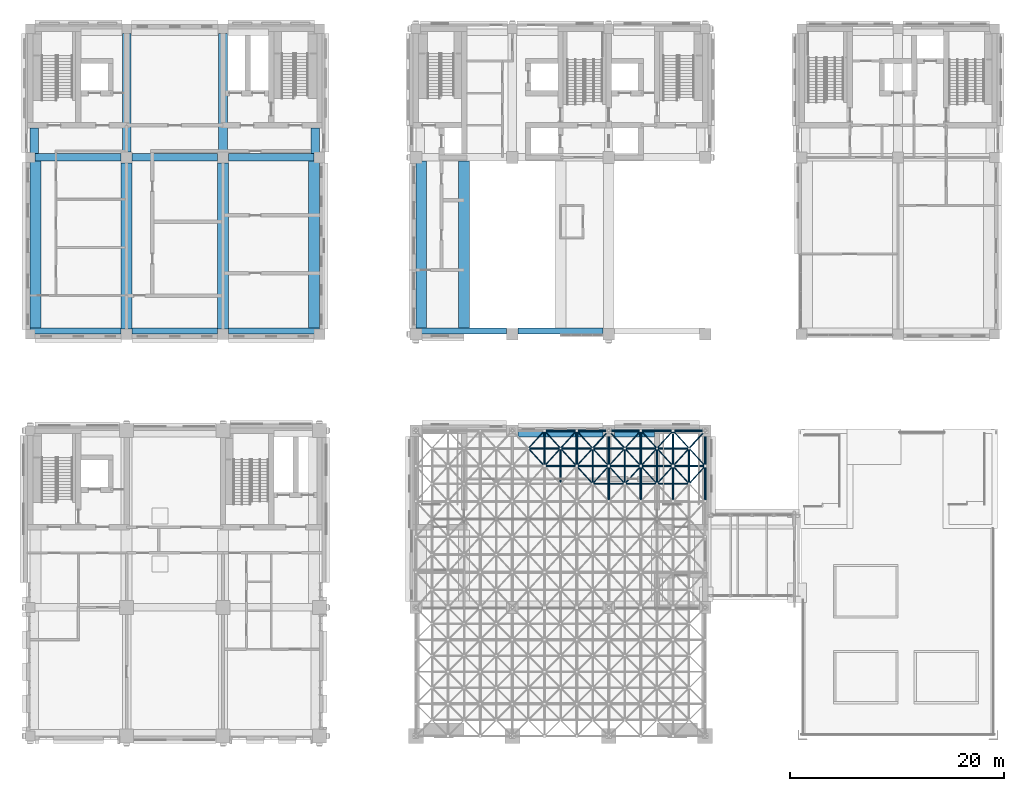
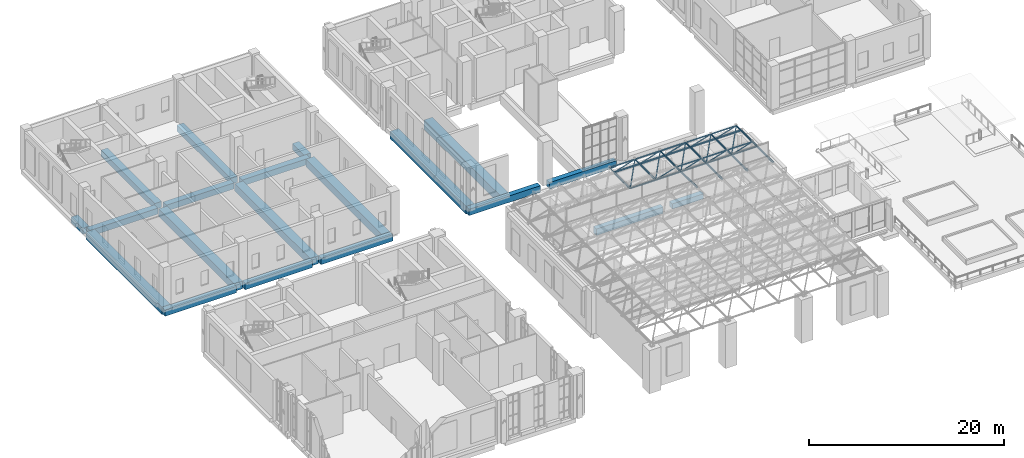
# One storey, part 9 of 53: 63 members, 20 beams.
"""IFC4 building model written with IfcOpenShell, lengths in metres."""

from ifc_helpers import new_model, si_unit, direction, frame, origin, origin_2d, place, context, subcontext, project, spatial, rectangle, hollow_circle, extrude, material, material_profile, profile_set, type_object, element, save


model = new_model("IFC4")

# Units and contexts
model_context = context("Model", 3, precision=1e-05, world=origin(), true_north=direction((0.0, 1.0)))
body_context = subcontext(model_context, "Body", "Model", "MODEL_VIEW")
ifc_project = project(units=[si_unit("LENGTHUNIT", "METRE"), si_unit("AREAUNIT", "SQUARE_METRE"), si_unit("VOLUMEUNIT", "CUBIC_METRE"), si_unit("PLANEANGLEUNIT", "RADIAN"), si_unit("MASSUNIT", "GRAM", prefix="KILO")], contexts=[model_context])

# Site, building, storey
site_placement = place(None, origin())
site = spatial("IfcSite", under=ifc_project, at=site_placement, CompositionType="ELEMENT")
building_placement = place(site_placement, origin())
building = spatial("IfcBuilding", under=site, at=building_placement, Name="Aurelan Courthouse", CompositionType="ELEMENT")
storey_placement = place(building_placement, frame((0.0, 0.0, 12.0)))
storey = spatial("IfcBuildingStorey", under=building, at=storey_placement, Name="L02", CompositionType="ELEMENT", Elevation=12.0)

# Beams
ifc_material_1 = material(Name="Concrete C50", Category="concrete")
ifc_material_profile_1 = material_profile(ifc_material_1, rectangle(XDim=0.699951171875, YDim=0.75, at=origin_2d()), Name="RC 700 x 750")
ifc_profile_set_1 = profile_set([ifc_material_profile_1], Name="Concrete C50")
beam_type_1 = type_object("IfcBeamType", Name="PT beam 700 x 750", PredefinedType="BEAM", material=ifc_profile_set_1)
beam_1_placement = place(storey_placement, frame((0.449951171875, 54.0, -0.675048828125), z_axis=(1.0, 0.0, 0.0), x_axis=(0.0, 1.0, 0.0)))
element("IfcBeam", 1, at=beam_1_placement, inside=storey, type_object=beam_type_1, Name="Beam EB-E-1-2", PredefinedType="BEAM", context=body_context, shape_type="SweptSolid", body=[
    extrude(rectangle(XDim=0.699951171875, YDim=0.75, at=origin_2d()), origin(), (0.0, 0.0, 1.0), 8.050048828125),
])
for number, where, z_axis, x_axis, name in (
    (2, (9.5, 54.0, -0.675048828125), (1.0, 0.0, 0.0), (0.0, 1.0, 0.0), "Beam EB-E-2-3"),
    (3, (18.5, 54.0, -0.675048828125), (1.0, 0.0, 0.0), (0.0, 1.0, 0.0), "Beam EB-E-3-4"),
):
    element("IfcBeam", number, at=place(storey_placement, frame(where, z_axis=z_axis, x_axis=x_axis)), inside=storey, type_object=beam_type_1, Name=name, PredefinedType="BEAM", context=body_context, shape_type="SweptSolid", body=[
        extrude(rectangle(XDim=0.699951171875, YDim=0.75, at=origin_2d()), origin(), (0.0, 0.0, 1.0), 8.0),
    ])
ifc_material_profile_2 = material_profile(ifc_material_1, rectangle(XDim=1.0, YDim=0.949951171875, at=origin_2d()), Name="RC 1000 x 950")
ifc_profile_set_2 = profile_set([ifc_material_profile_2], Name="Concrete C50")
beam_type_2 = type_object("IfcBeamType", Name="PT girder 1000 x 950", PredefinedType="BEAM", material=ifc_profile_set_2)
for number, where, z_axis, x_axis, name in (
    (4, (36.5, 38.10009765625, -0.77490234375), (0.0, 1.0, 0.0), (-1.0, 0.0, 0.0), "Girder GB-5DE-E"),
    (5, (0.5, 38.10009765625, -0.77490234375), (0.0, 1.0, 0.0), (-1.0, 0.0, 0.0), "Girder GB-1DE-E"),
):
    element("IfcBeam", number, at=place(storey_placement, frame(where, z_axis=z_axis, x_axis=x_axis)), inside=storey, type_object=beam_type_2, Name=name, PredefinedType="BEAM", context=body_context, shape_type="SweptSolid", body=[
        extrude(rectangle(XDim=1.0, YDim=0.949951171875, at=origin_2d()), origin(), (0.0, 0.0, 1.0), 15.5498046875),
    ])
for number, where, z_axis, x_axis, name in (
    (6, (9.0, 38.0, -0.77490234375), (0.0, 1.0, 0.0), (-1.0, 0.0, 0.0), "Girder GB-2DE"),
    (7, (18.0, 38.0, -0.77490234375), (0.0, 1.0, 0.0), (-1.0, 0.0, 0.0), "Girder GB-3DE"),
):
    element("IfcBeam", number, at=place(storey_placement, frame(where, z_axis=z_axis, x_axis=x_axis)), inside=storey, type_object=beam_type_2, Name=name, PredefinedType="BEAM", context=body_context, shape_type="SweptSolid", body=[
        extrude(rectangle(XDim=1.0, YDim=0.949951171875, at=origin_2d()), origin(), (0.0, 0.0, 1.0), 15.5),
    ])
beam_2_placement = place(storey_placement, frame((26.5, 38.10009765625, -0.77490234375), z_axis=(0.0, 1.0, 0.0), x_axis=(-1.0, 0.0, 0.0)))
element("IfcBeam", 8, at=beam_2_placement, inside=storey, type_object=beam_type_2, Name="Girder GB-4DE-E", PredefinedType="BEAM", context=body_context, shape_type="SweptSolid", body=[
    extrude(rectangle(XDim=1.0, YDim=0.949951171875, at=origin_2d()), origin(), (0.0, 0.0, 1.0), 15.5498046875),
])
ifc_material_profile_3 = material_profile(ifc_material_1, rectangle(XDim=0.800048828125, YDim=0.75, at=origin_2d()), Name="RC 800 x 750")
ifc_profile_set_3 = profile_set([ifc_material_profile_3], Name="Concrete C50")
beam_type_3 = type_object("IfcBeamType", Name="PT girder 800 x 750", PredefinedType="BEAM", material=ifc_profile_set_3)
beam_3_placement = place(storey_placement, frame((0.39990234375, 54.35009765625, -0.675048828125), z_axis=(0.0, 1.0, 0.0), x_axis=(-1.0, 0.0, 0.0)))
element("IfcBeam", 9, at=beam_3_placement, inside=storey, type_object=beam_type_3, Name="Girder GB-1EF-E", PredefinedType="BEAM", context=body_context, shape_type="SweptSolid", body=[
    extrude(rectangle(XDim=0.800048828125, YDim=0.75, at=origin_2d()), origin(), (0.0, 0.0, 1.0), 2.39990234375),
])
for number, where, z_axis, x_axis, name in (
    (10, (9.0, 54.5, -0.675048828125), (0.0, 1.0, 0.0), (-1.0, 0.0, 0.0), "Girder GB-2EF"),
    (11, (18.0, 54.5, -0.675048828125), (0.0, 1.0, 0.0), (-1.0, 0.0, 0.0), "Girder GB-3EF"),
):
    element("IfcBeam", number, at=place(storey_placement, frame(where, z_axis=z_axis, x_axis=x_axis)), inside=storey, type_object=beam_type_3, Name=name, PredefinedType="BEAM", context=body_context, shape_type="SweptSolid", body=[
        extrude(rectangle(XDim=0.800048828125, YDim=0.75, at=origin_2d()), origin(), (0.0, 0.0, 1.0), 11.050048828125),
    ])
beam_4_placement = place(storey_placement, frame((26.60009765625, 54.35009765625, -0.675048828125), z_axis=(0.0, 1.0, 0.0), x_axis=(-1.0, 0.0, 0.0)))
element("IfcBeam", 12, at=beam_4_placement, inside=storey, type_object=beam_type_3, Name="Girder GB-4EF-E", PredefinedType="BEAM", context=body_context, shape_type="SweptSolid", body=[
    extrude(rectangle(XDim=0.800048828125, YDim=0.75, at=origin_2d()), origin(), (0.0, 0.0, 1.0), 2.39990234375),
])
ifc_material_profile_4 = material_profile(ifc_material_1, rectangle(XDim=0.60009765625, YDim=0.64990234375, at=origin_2d()), Name="RC 600 x 650")
ifc_profile_set_4 = profile_set([ifc_material_profile_4], Name="Concrete C50")
beam_type_4 = type_object("IfcBeamType", Name="RC spandrel beam 600 x 650", PredefinedType="SPANDREL", material=ifc_profile_set_4)
beam_5_placement = place(storey_placement, frame((54.550048828125, 28.199951171875, -0.625), z_axis=(1.0, 0.0, 0.0), x_axis=(0.0, 1.0, 0.0)))
element("IfcBeam", 13, at=beam_5_placement, inside=storey, type_object=beam_type_4, Name="Spandrel beam SB-C-7-8", PredefinedType="SPANDREL", context=body_context, shape_type="SweptSolid", body=[
    extrude(rectangle(XDim=0.60009765625, YDim=0.64990234375, at=origin_2d()), origin(), (0.0, 0.0, 1.0), 3.699951171875),
])
ifc_material_profile_5 = material_profile(ifc_material_1, rectangle(XDim=0.60009765625, YDim=0.800048828125, at=origin_2d()), Name="RC 600 x 800")
ifc_profile_set_5 = profile_set([ifc_material_profile_5], Name="Concrete C50")
beam_type_5 = type_object("IfcBeamType", Name="RC spandrel beam 600 x 800", PredefinedType="SPANDREL", material=ifc_profile_set_5)
beam_6_placement = place(storey_placement, frame((45.550048828125, 28.199951171875, -0.699951171875), z_axis=(1.0, 0.0, 0.0), x_axis=(0.0, 1.0, 0.0)))
element("IfcBeam", 14, at=beam_6_placement, inside=storey, type_object=beam_type_5, Name="Spandrel beam SB-C-6-7", PredefinedType="SPANDREL", context=body_context, shape_type="SweptSolid", body=[
    extrude(rectangle(XDim=0.60009765625, YDim=0.800048828125, at=origin_2d()), origin(), (0.0, 0.0, 1.0), 7.89990234375),
])
beam_7_placement = place(storey_placement, frame((36.0, 37.800048828125, -0.699951171875), z_axis=(1.0, 0.0, 0.0), x_axis=(0.0, 1.0, 0.0)))
element("IfcBeam", 15, at=beam_7_placement, inside=storey, type_object=beam_type_5, Name="Spandrel beam SB-D-5-6", PredefinedType="SPANDREL", context=body_context, shape_type="SweptSolid", body=[
    extrude(rectangle(XDim=0.60009765625, YDim=0.800048828125, at=origin_2d()), origin(), (0.0, 0.0, 1.0), 8.449951171875),
])
beam_8_placement = place(storey_placement, frame((45.550048828125, 37.800048828125, -0.699951171875), z_axis=(1.0, 0.0, 0.0), x_axis=(0.0, 1.0, 0.0)))
element("IfcBeam", 16, at=beam_8_placement, inside=storey, type_object=beam_type_5, Name="Spandrel beam SB-D-6-7", PredefinedType="SPANDREL", context=body_context, shape_type="SweptSolid", body=[
    extrude(rectangle(XDim=0.60009765625, YDim=0.800048828125, at=origin_2d()), origin(), (0.0, 0.0, 1.0), 7.89990234375),
])
beam_9_placement = place(storey_placement, frame((0.0, 37.800048828125, -0.699951171875), z_axis=(1.0, 0.0, 0.0), x_axis=(0.0, 1.0, 0.0)))
element("IfcBeam", 17, at=beam_9_placement, inside=storey, type_object=beam_type_5, Name="Spandrel beam SB-D-1-2", PredefinedType="SPANDREL", context=body_context, shape_type="SweptSolid", body=[
    extrude(rectangle(XDim=0.60009765625, YDim=0.800048828125, at=origin_2d()), origin(), (0.0, 0.0, 1.0), 8.5),
])
beam_10_placement = place(storey_placement, frame((9.5, 37.800048828125, -0.699951171875), z_axis=(1.0, 0.0, 0.0), x_axis=(0.0, 1.0, 0.0)))
element("IfcBeam", 18, at=beam_10_placement, inside=storey, type_object=beam_type_5, Name="Spandrel beam SB-D-2-3", PredefinedType="SPANDREL", context=body_context, shape_type="SweptSolid", body=[
    extrude(rectangle(XDim=0.60009765625, YDim=0.800048828125, at=origin_2d()), origin(), (0.0, 0.0, 1.0), 8.0),
])
beam_11_placement = place(storey_placement, frame((18.5, 37.800048828125, -0.699951171875), z_axis=(1.0, 0.0, 0.0), x_axis=(0.0, 1.0, 0.0)))
element("IfcBeam", 19, at=beam_11_placement, inside=storey, type_object=beam_type_5, Name="Spandrel beam SB-D-3-4", PredefinedType="SPANDREL", context=body_context, shape_type="SweptSolid", body=[
    extrude(rectangle(XDim=0.60009765625, YDim=0.800048828125, at=origin_2d()), origin(), (0.0, 0.0, 1.0), 8.5),
])
ifc_material_2 = material(Name="Concrete C40", Category="concrete")
ifc_material_profile_6 = material_profile(ifc_material_2, rectangle(XDim=1.0, YDim=1.14990234375, at=origin_2d()), Name="RC 1000 x 1150")
ifc_profile_set_6 = profile_set([ifc_material_profile_6], Name="Concrete C40")
beam_type_6 = type_object("IfcBeamType", Name="RC trimmer beam 1000 x 1150", PredefinedType="JOIST", material=ifc_profile_set_6)
beam_12_placement = place(storey_placement, frame((40.5, 38.10009765625, -0.875), z_axis=(0.0, 1.0, 0.0), x_axis=(-1.0, 0.0, 0.0)))
element("IfcBeam", 20, at=beam_12_placement, inside=storey, type_object=beam_type_6, Name="Trimmer beam TB-L02-004", PredefinedType="JOIST", context=body_context, shape_type="SweptSolid", body=[
    extrude(rectangle(XDim=1.0, YDim=1.14990234375, at=origin_2d()), origin(), (0.0, 0.0, 1.0), 15.5498046875),
])

# Members
ifc_material_3 = material(Name="Steel S355", Category="steel")
ifc_material_profile_7 = material_profile(ifc_material_3, hollow_circle(Radius=0.07958984375, WallThickness=0.006103515625, at=origin_2d()), Name="CHS 159 x 6")
ifc_profile_set_7 = profile_set([ifc_material_profile_7], Name="Steel S355")
member_type_1 = type_object("IfcMemberType", Name="Space frame chord CHS 159 x 6", PredefinedType="CHORD", material=ifc_profile_set_7)
for number, where, z_axis, x_axis, name in (
    (21, (52.5, 23.550048828125, 7.699951171875), (1.0, 0.0, 0.0), (0.0, 1.0, 0.0), "Space frame top chord SF-T2"),
    (22, (55.5, 23.550048828125, 7.699951171875), (1.0, 0.0, 0.0), (0.0, 1.0, 0.0), "Space frame top chord SF-T2"),
    (23, (58.5, 23.550048828125, 7.699951171875), (1.0, 0.0, 0.0), (0.0, 1.0, 0.0), "Space frame top chord SF-T2"),
):
    element("IfcMember", number, at=place(storey_placement, frame(where, z_axis=z_axis, x_axis=x_axis)), inside=storey, type_object=member_type_1, Name=name, PredefinedType="CHORD", context=body_context, shape_type="SweptSolid", body=[
        extrude(hollow_circle(Radius=0.07958984375, WallThickness=0.006103515625, at=origin_2d()), origin(), (0.0, 0.0, 1.0), 3.0),
    ])
for number, where, z_axis, x_axis, name in (
    (24, (49.5, 23.550048828125, 7.699951171875), (0.0, 1.0, 0.0), (-1.0, 0.0, 0.0), "Space frame top chord SF-T2"),
    (25, (52.5, 23.550048828125, 7.699951171875), (0.0, 1.0, 0.0), (-1.0, 0.0, 0.0), "Space frame top chord SF-T2"),
    (26, (55.5, 23.550048828125, 7.699951171875), (0.0, 1.0, 0.0), (-1.0, 0.0, 0.0), "Space frame top chord SF-T2"),
    (27, (58.5, 23.550048828125, 7.699951171875), (0.0, 1.0, 0.0), (-1.0, 0.0, 0.0), "Space frame top chord SF-T2"),
):
    element("IfcMember", number, at=place(storey_placement, frame(where, z_axis=z_axis, x_axis=x_axis)), inside=storey, type_object=member_type_1, Name=name, PredefinedType="CHORD", context=body_context, shape_type="SweptSolid", body=[
        extrude(hollow_circle(Radius=0.07958984375, WallThickness=0.006103515625, at=origin_2d()), origin(), (0.0, 0.0, 1.0), 3.300048828125),
    ])
ifc_material_profile_8 = material_profile(ifc_material_3, hollow_circle(Radius=0.084228515625, WallThickness=0.008056640625, at=origin_2d()), Name="CHS 168.3 x 8")
ifc_profile_set_8 = profile_set([ifc_material_profile_8], Name="Steel S355")
member_type_2 = type_object("IfcMemberType", Name="Space frame chord CHS 168.3 x 8", PredefinedType="CHORD", material=ifc_profile_set_8)
for number, where, z_axis, x_axis, name in (
    (28, (46.5, 26.85009765625, 7.699951171875), (1.0, 0.0, 0.0), (0.0, 1.0, 0.0), "Space frame top chord SF-T3"),
    (29, (49.5, 26.85009765625, 7.699951171875), (1.0, 0.0, 0.0), (0.0, 1.0, 0.0), "Space frame top chord SF-T3"),
    (30, (52.5, 26.85009765625, 7.699951171875), (1.0, 0.0, 0.0), (0.0, 1.0, 0.0), "Space frame top chord SF-T3"),
    (31, (55.5, 26.85009765625, 7.699951171875), (1.0, 0.0, 0.0), (0.0, 1.0, 0.0), "Space frame top chord SF-T3"),
    (32, (58.5, 26.85009765625, 7.699951171875), (1.0, 0.0, 0.0), (0.0, 1.0, 0.0), "Space frame top chord SF-T3"),
):
    element("IfcMember", number, at=place(storey_placement, frame(where, z_axis=z_axis, x_axis=x_axis)), inside=storey, type_object=member_type_2, Name=name, PredefinedType="CHORD", context=body_context, shape_type="SweptSolid", body=[
        extrude(hollow_circle(Radius=0.084228515625, WallThickness=0.008056640625, at=origin_2d()), origin(), (0.0, 0.0, 1.0), 3.0),
    ])
member_placement = place(storey_placement, frame((61.5, 23.550048828125, 7.699951171875), z_axis=(0.0, 1.0, 0.0), x_axis=(-1.0, 0.0, 0.0)))
element("IfcMember", 33, at=member_placement, inside=storey, type_object=member_type_2, Name="Space frame top chord SF-T3", PredefinedType="CHORD", context=body_context, shape_type="SweptSolid", body=[
    extrude(hollow_circle(Radius=0.084228515625, WallThickness=0.008056640625, at=origin_2d()), origin(), (0.0, 0.0, 1.0), 3.300048828125),
])
ifc_material_profile_9 = material_profile(ifc_material_3, hollow_circle(Radius=0.109619140625, WallThickness=0.010009765625, at=origin_2d()), Name="CHS 219.1 x 10")
ifc_profile_set_9 = profile_set([ifc_material_profile_9], Name="Steel S355")
member_type_3 = type_object("IfcMemberType", Name="Space frame chord CHS 219.1 x 10", PredefinedType="CHORD", material=ifc_profile_set_9)
for number, where, z_axis, x_axis, name in (
    (34, (48.0, 25.199951171875, 5.60009765625), (1.0, 0.0, 0.0), (0.0, 1.0, 0.0), "Space frame bottom chord SF-B1"),
    (35, (51.0, 25.199951171875, 5.60009765625), (1.0, 0.0, 0.0), (0.0, 1.0, 0.0), "Space frame bottom chord SF-B1"),
    (36, (54.0, 25.199951171875, 5.60009765625), (1.0, 0.0, 0.0), (0.0, 1.0, 0.0), "Space frame bottom chord SF-B1"),
    (37, (57.0, 25.199951171875, 5.60009765625), (1.0, 0.0, 0.0), (0.0, 1.0, 0.0), "Space frame bottom chord SF-B1"),
    (38, (60.0, 25.199951171875, 5.60009765625), (1.0, 0.0, 0.0), (0.0, 1.0, 0.0), "Space frame bottom chord SF-B1"),
    (39, (48.0, 28.5, 5.60009765625), (1.0, 0.0, 0.0), (0.0, 1.0, 0.0), "Space frame bottom chord SF-B1"),
    (40, (51.0, 28.5, 5.60009765625), (1.0, 0.0, 0.0), (0.0, 1.0, 0.0), "Space frame bottom chord SF-B1"),
    (41, (54.0, 28.5, 5.60009765625), (1.0, 0.0, 0.0), (0.0, 1.0, 0.0), "Space frame bottom chord SF-B1"),
    (42, (57.0, 28.5, 5.60009765625), (1.0, 0.0, 0.0), (0.0, 1.0, 0.0), "Space frame bottom chord SF-B1"),
    (43, (60.0, 28.5, 5.60009765625), (1.0, 0.0, 0.0), (0.0, 1.0, 0.0), "Space frame bottom chord SF-B1"),
):
    element("IfcMember", number, at=place(storey_placement, frame(where, z_axis=z_axis, x_axis=x_axis)), inside=storey, type_object=member_type_3, Name=name, PredefinedType="CHORD", context=body_context, shape_type="SweptSolid", body=[
        extrude(hollow_circle(Radius=0.109619140625, WallThickness=0.010009765625, at=origin_2d()), origin(), (0.0, 0.0, 1.0), 3.0),
    ])
for number, where, z_axis, x_axis, name in (
    (44, (48.0, 25.199951171875, 5.60009765625), (0.0, 1.0, 0.0), (-1.0, 0.0, 0.0), "Space frame bottom chord SF-B1"),
    (45, (51.0, 25.199951171875, 5.60009765625), (0.0, 1.0, 0.0), (-1.0, 0.0, 0.0), "Space frame bottom chord SF-B1"),
    (46, (54.0, 21.89990234375, 5.60009765625), (0.0, 1.0, 0.0), (-1.0, 0.0, 0.0), "Space frame bottom chord SF-B1"),
    (47, (54.0, 25.199951171875, 5.60009765625), (0.0, 1.0, 0.0), (-1.0, 0.0, 0.0), "Space frame bottom chord SF-B1"),
    (48, (57.0, 21.89990234375, 5.60009765625), (0.0, 1.0, 0.0), (-1.0, 0.0, 0.0), "Space frame bottom chord SF-B1"),
    (49, (57.0, 25.199951171875, 5.60009765625), (0.0, 1.0, 0.0), (-1.0, 0.0, 0.0), "Space frame bottom chord SF-B1"),
    (50, (60.0, 21.89990234375, 5.60009765625), (0.0, 1.0, 0.0), (-1.0, 0.0, 0.0), "Space frame bottom chord SF-B1"),
    (51, (60.0, 25.199951171875, 5.60009765625), (0.0, 1.0, 0.0), (-1.0, 0.0, 0.0), "Space frame bottom chord SF-B1"),
    (52, (63.0, 21.89990234375, 5.60009765625), (0.0, 1.0, 0.0), (-1.0, 0.0, 0.0), "Space frame bottom chord SF-B1"),
    (53, (63.0, 25.199951171875, 5.60009765625), (0.0, 1.0, 0.0), (-1.0, 0.0, 0.0), "Space frame bottom chord SF-B1"),
):
    element("IfcMember", number, at=place(storey_placement, frame(where, z_axis=z_axis, x_axis=x_axis)), inside=storey, type_object=member_type_3, Name=name, PredefinedType="CHORD", context=body_context, shape_type="SweptSolid", body=[
        extrude(hollow_circle(Radius=0.109619140625, WallThickness=0.010009765625, at=origin_2d()), origin(), (0.0, 0.0, 1.0), 3.300048828125),
    ])
ifc_material_profile_10 = material_profile(ifc_material_3, hollow_circle(Radius=0.05712890625, WallThickness=0.00390625, at=origin_2d()), Name="CHS 114.3 x 4")
ifc_profile_set_10 = profile_set([ifc_material_profile_10], Name="Steel S355")
member_type_4 = type_object("IfcMemberType", Name="Space frame diagonal CHS 114.3 x 4", PredefinedType="BRACE", material=ifc_profile_set_10)
for number, where, z_axis, x_axis, name in (
    (54, (46.5, 26.85009765625, 7.699951171875), (0.489705546256, -0.538723923689, -0.685539941951), (0.739969795529, 0.672640098199, 0.0), "Space frame diagonal SF-D2"),
    (55, (46.5, 26.85009765625, 7.699951171875), (0.489726573432, 0.538667347535, -0.685569377944), (-0.739920256233, 0.672694592231, 0.0), "Space frame diagonal SF-D2"),
    (56, (49.5, 26.85009765625, 7.699951171875), (-0.489705546256, -0.538723923689, -0.685539941951), (0.739969795529, -0.672640098199, 0.0), "Space frame diagonal SF-D2"),
    (57, (49.5, 26.85009765625, 7.699951171875), (-0.489726573432, 0.538667347535, -0.685569377944), (-0.739920256233, -0.672694592231, 0.0), "Space frame diagonal SF-D2"),
    (58, (49.5, 26.85009765625, 7.699951171875), (0.489705546256, -0.538723923689, -0.685539941951), (0.739969795529, 0.672640098199, 0.0), "Space frame diagonal SF-D2"),
    (59, (49.5, 26.85009765625, 7.699951171875), (0.489726573432, 0.538667347535, -0.685569377944), (-0.739920256233, 0.672694592231, 0.0), "Space frame diagonal SF-D2"),
    (60, (52.5, 23.550048828125, 7.699951171875), (-0.489726573432, 0.538667347535, -0.685569377944), (-0.739920256233, -0.672694592231, 0.0), "Space frame diagonal SF-D2"),
    (61, (52.5, 23.550048828125, 7.699951171875), (0.489726573432, 0.538667347535, -0.685569377944), (-0.739920256233, 0.672694592231, 0.0), "Space frame diagonal SF-D2"),
    (62, (52.5, 26.85009765625, 7.699951171875), (-0.489705546256, -0.538723923689, -0.685539941951), (0.739969795529, -0.672640098199, 0.0), "Space frame diagonal SF-D2"),
    (63, (52.5, 26.85009765625, 7.699951171875), (-0.489726573432, 0.538667347535, -0.685569377944), (-0.739920256233, -0.672694592231, 0.0), "Space frame diagonal SF-D2"),
    (64, (52.5, 26.85009765625, 7.699951171875), (0.489705546256, -0.538723923689, -0.685539941951), (0.739969795529, 0.672640098199, 0.0), "Space frame diagonal SF-D2"),
    (65, (55.5, 23.550048828125, 7.699951171875), (-0.489726573432, 0.538667347535, -0.685569377944), (-0.739920256233, -0.672694592231, 0.0), "Space frame diagonal SF-D2"),
    (66, (55.5, 23.550048828125, 7.699951171875), (0.489726573432, 0.538667347535, -0.685569377944), (-0.739920256233, 0.672694592231, 0.0), "Space frame diagonal SF-D2"),
    (67, (55.5, 26.85009765625, 7.699951171875), (-0.489705546256, -0.538723923689, -0.685539941951), (0.739969795529, -0.672640098199, 0.0), "Space frame diagonal SF-D2"),
    (68, (55.5, 26.85009765625, 7.699951171875), (0.489705546256, -0.538723923689, -0.685539941951), (0.739969795529, 0.672640098199, 0.0), "Space frame diagonal SF-D2"),
    (69, (55.5, 26.85009765625, 7.699951171875), (0.489726573432, 0.538667347535, -0.685569377944), (-0.739920256233, 0.672694592231, 0.0), "Space frame diagonal SF-D2"),
    (70, (58.5, 23.550048828125, 7.699951171875), (-0.489726573432, 0.538667347535, -0.685569377944), (-0.739920256233, -0.672694592231, 0.0), "Space frame diagonal SF-D2"),
    (71, (58.5, 23.550048828125, 7.699951171875), (0.489726573432, 0.538667347535, -0.685569377944), (-0.739920256233, 0.672694592231, 0.0), "Space frame diagonal SF-D2"),
    (72, (58.5, 26.85009765625, 7.699951171875), (-0.489705546256, -0.538723923689, -0.685539941951), (0.739969795529, -0.672640098199, 0.0), "Space frame diagonal SF-D2"),
    (73, (58.5, 26.85009765625, 7.699951171875), (-0.489726573432, 0.538667347535, -0.685569377944), (-0.739920256233, -0.672694592231, 0.0), "Space frame diagonal SF-D2"),
    (74, (58.5, 26.85009765625, 7.699951171875), (0.489705546256, -0.538723923689, -0.685539941951), (0.739969795529, 0.672640098199, 0.0), "Space frame diagonal SF-D2"),
    (75, (58.5, 26.85009765625, 7.699951171875), (0.489726573432, 0.538667347535, -0.685569377944), (-0.739920256233, 0.672694592231, 0.0), "Space frame diagonal SF-D2"),
    (76, (61.5, 23.550048828125, 7.699951171875), (-0.489726573432, 0.538667347535, -0.685569377944), (-0.739920256233, -0.672694592231, 0.0), "Space frame diagonal SF-D2"),
    (77, (61.5, 23.550048828125, 7.699951171875), (0.489726573432, 0.538667347535, -0.685569377944), (-0.739920256233, 0.672694592231, 0.0), "Space frame diagonal SF-D2"),
    (78, (61.5, 26.85009765625, 7.699951171875), (-0.489705546256, -0.538723923689, -0.685539941951), (0.739969795529, -0.672640098199, 0.0), "Space frame diagonal SF-D2"),
    (79, (61.5, 26.85009765625, 7.699951171875), (-0.489726573432, 0.538667347535, -0.685569377944), (-0.739920256233, -0.672694592231, 0.0), "Space frame diagonal SF-D2"),
    (80, (61.5, 26.85009765625, 7.699951171875), (0.489705546256, -0.538723923689, -0.685539941951), (0.739969795529, 0.672640098199, 0.0), "Space frame diagonal SF-D2"),
):
    element("IfcMember", number, at=place(storey_placement, frame(where, z_axis=z_axis, x_axis=x_axis)), inside=storey, type_object=member_type_4, Name=name, PredefinedType="BRACE", context=body_context, shape_type="SweptSolid", body=[
        extrude(hollow_circle(Radius=0.05712890625, WallThickness=0.00390625, at=origin_2d()), origin(), (0.0, 0.0, 1.0), 3.06298828125),
    ])
ifc_material_profile_11 = material_profile(ifc_material_3, hollow_circle(Radius=0.06982421875, WallThickness=0.00634765625, at=origin_2d()), Name="CHS 139.7 x 6.3")
ifc_profile_set_11 = profile_set([ifc_material_profile_11], Name="Steel S355")
member_type_5 = type_object("IfcMemberType", Name="Space frame diagonal CHS 139.7 x 6.3", PredefinedType="BRACE", material=ifc_profile_set_11)
for number, where, z_axis, x_axis, name in (
    (81, (52.5, 26.85009765625, 7.699951171875), (0.489726573432, 0.538667347535, -0.685569377944), (-0.739920256233, 0.672694592231, 0.0), "Space frame diagonal SF-D1"),
    (82, (55.5, 26.85009765625, 7.699951171875), (-0.489726573432, 0.538667347535, -0.685569377944), (-0.739920256233, -0.672694592231, 0.0), "Space frame diagonal SF-D1"),
    (83, (61.5, 26.85009765625, 7.699951171875), (0.489726573432, 0.538667347535, -0.685569377944), (-0.739920256233, 0.672694592231, 0.0), "Space frame diagonal SF-D1"),
):
    element("IfcMember", number, at=place(storey_placement, frame(where, z_axis=z_axis, x_axis=x_axis)), inside=storey, type_object=member_type_5, Name=name, PredefinedType="BRACE", context=body_context, shape_type="SweptSolid", body=[
        extrude(hollow_circle(Radius=0.06982421875, WallThickness=0.00634765625, at=origin_2d()), origin(), (0.0, 0.0, 1.0), 3.06298828125),
    ])

save(model, "model.ifc")
